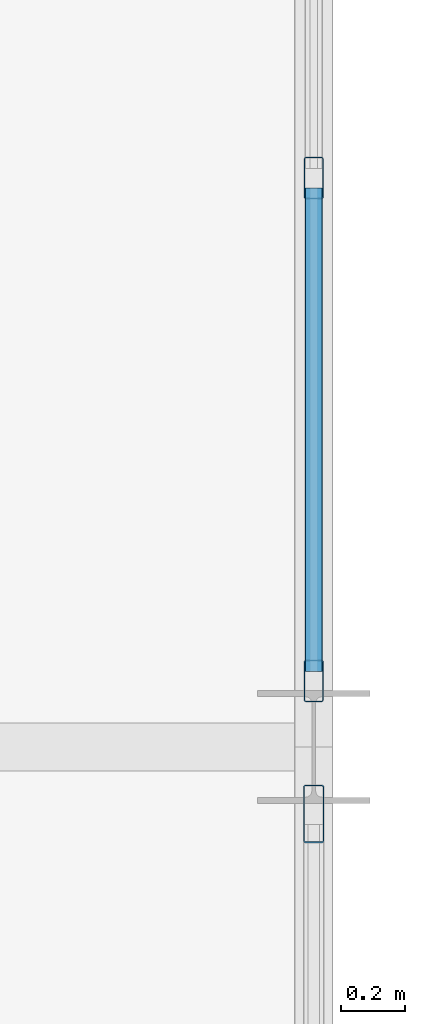
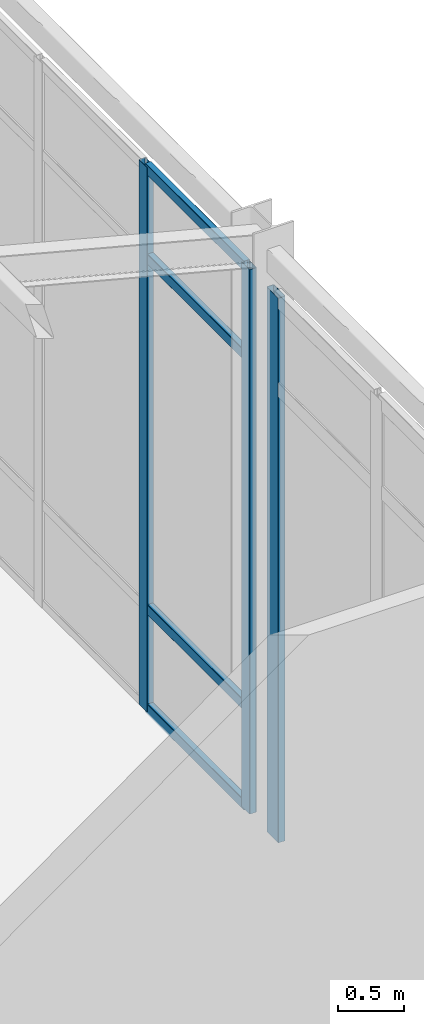
# One storey, part 22 of 121: 7 members, 2 elements without a shape of their own.
"""IFC4 building model written with IfcOpenShell, lengths in metres."""

from ifc_helpers import new_model, si_unit, direction, frame, origin, origin_2d, place, context, subcontext, project, spatial, hollow_rectangle, extrude, material, material_profile, profile_set, type_object, element, aggregate, save


model = new_model("IFC4")

# Units and contexts
model_context = context("Model", 3, precision=1e-05, world=origin(), true_north=direction((0.0, 1.0)))
body_context = subcontext(model_context, "Body", "Model", "MODEL_VIEW")
ifc_project = project(units=[si_unit("LENGTHUNIT", "METRE"), si_unit("AREAUNIT", "SQUARE_METRE"), si_unit("VOLUMEUNIT", "CUBIC_METRE"), si_unit("PLANEANGLEUNIT", "RADIAN"), si_unit("MASSUNIT", "GRAM", prefix="KILO")], contexts=[model_context])

# Site, building, storey
site_placement = place(None, origin())
site = spatial("IfcSite", under=ifc_project, at=site_placement, CompositionType="ELEMENT")
building_placement = place(site_placement, origin())
building = spatial("IfcBuilding", under=site, at=building_placement, Name="Canglan Escarpment Cableway Terminal", CompositionType="ELEMENT")
storey_placement = place(building_placement, frame((0.0, 0.0, 24.60009765625)))
storey = spatial("IfcBuildingStorey", under=building, at=storey_placement, Name="L05", CompositionType="ELEMENT", Elevation=24.60009765625)

# Curtain wall, members
ifc_material_1 = material(Name="Anodized bronze aluminium and Low-E double glazing", Category="aluminium")
curtain_wall_type_1 = type_object("IfcCurtainWallType", Name="CW-BAY-7950x5050", PredefinedType="NOTDEFINED", material=ifc_material_1)
curtain_wall_1_placement = place(storey_placement, origin())
curtain_wall_1 = element("IfcCurtainWall", 1, at=curtain_wall_1_placement, inside=storey, type_object=curtain_wall_type_1, Name="Classical bay-between-piers glazed curtain wall CW-39", PredefinedType="NOTDEFINED")
ifc_material_2 = material(Name="Thermally broken anodized aluminium 6063-T6", Category="aluminium")
ifc_material_profile_1 = material_profile(ifc_material_2, hollow_rectangle(XDim=0.06005859375, YDim=0.1298828125, WallThickness=0.0029296875, InnerFilletRadius=0.0029296875, OuterFilletRadius=0.006103515625, at=origin_2d()), Name="ALU-MULL 60x130x3")
ifc_profile_set_1 = profile_set([ifc_material_profile_1], Name="Thermally broken anodized aluminium 6063-T6")
member_type_1 = type_object("IfcMemberType", Name="CWM-01", PredefinedType="MULLION", material=ifc_profile_set_1)
member_1_placement = place(storey_placement, frame((166.39990234375, 25.0048828125, 0.0), z_axis=(0.0, 0.0, 1.0), x_axis=(-1.0, 0.0, 0.0)))
member_1 = element("IfcMember", 2, at=member_1_placement, type_object=member_type_1, Name="CW-39 mullion 1", PredefinedType="MULLION", context=body_context, shape_type="SweptSolid", body=[
    extrude(hollow_rectangle(XDim=0.06005859375, YDim=0.1298828125, WallThickness=0.0029296875, InnerFilletRadius=0.0029296875, OuterFilletRadius=0.006103515625, at=origin_2d()), origin(), (0.0, 0.0, 1.0), 5.0498046875),
])
member_2_placement = place(storey_placement, frame((166.39990234375, 26.56494140625, 0.0), z_axis=(0.0, 0.0, 1.0), x_axis=(-1.0, 0.0, 0.0)))
member_2 = element("IfcMember", 3, at=member_2_placement, type_object=member_type_1, Name="CW-39 mullion 2", PredefinedType="MULLION", context=body_context, shape_type="SweptSolid", body=[
    extrude(hollow_rectangle(XDim=0.06005859375, YDim=0.1298828125, WallThickness=0.0029296875, InnerFilletRadius=0.0029296875, OuterFilletRadius=0.006103515625, at=origin_2d()), origin(), (0.0, 0.0, 1.0), 5.0498046875),
])

# Curtain wall, member
curtain_wall_type_2 = type_object("IfcCurtainWallType", Name="CW-BAY-8050x5050", PredefinedType="NOTDEFINED", material=ifc_material_1)
curtain_wall_2_placement = place(storey_placement, origin())
curtain_wall_2 = element("IfcCurtainWall", 4, at=curtain_wall_2_placement, inside=storey, type_object=curtain_wall_type_2, Name="Classical bay-between-piers glazed curtain wall CW-38", PredefinedType="NOTDEFINED")
ifc_material_profile_2 = material_profile(ifc_material_2, hollow_rectangle(XDim=0.06494140625, YDim=0.179931640625, WallThickness=0.00390625, InnerFilletRadius=0.00390625, OuterFilletRadius=0.008056640625, at=origin_2d()), Name="ALU-MULL 65x180x4")
ifc_profile_set_2 = profile_set([ifc_material_profile_2], Name="Thermally broken anodized aluminium 6063-T6")
member_type_2 = type_object("IfcMemberType", Name="CWM-03", PredefinedType="MULLION", material=ifc_profile_set_2)
member_3_placement = place(storey_placement, frame((166.39990234375, 24.592529296875, 0.0), z_axis=(0.0, 0.0, 1.0), x_axis=(-1.0, 0.0, 0.0)))
member_3 = element("IfcMember", 5, at=member_3_placement, type_object=member_type_2, Name="CW-38 mullion 6", PredefinedType="MULLION", context=body_context, shape_type="SweptSolid", body=[
    extrude(hollow_rectangle(XDim=0.06494140625, YDim=0.179931640625, WallThickness=0.00390625, InnerFilletRadius=0.00390625, OuterFilletRadius=0.008056640625, at=origin_2d()), origin(), (0.0, 0.0, 1.0), 5.0498046875),
])
aggregate(curtain_wall_2, [member_3])

# Member
ifc_material_profile_3 = material_profile(ifc_material_2, hollow_rectangle(XDim=0.054931640625, YDim=0.094970703125, WallThickness=0.0029296875, InnerFilletRadius=0.0029296875, OuterFilletRadius=0.006103515625, at=origin_2d()), Name="ALU-TRAN 55x95x3")
ifc_profile_set_3 = profile_set([ifc_material_profile_3], Name="Thermally broken anodized aluminium 6063-T6")
member_type_3 = type_object("IfcMemberType", Name="CWT-01", PredefinedType="USERDEFINED", material=ifc_profile_set_3)
member_4_placement = place(storey_placement, frame((166.39990234375, 25.034912109375, 0.02734375), z_axis=(0.0, 1.0, 0.0), x_axis=(-1.0, 0.0, 0.0)))
member_4 = element("IfcMember", 6, at=member_4_placement, type_object=member_type_3, Name="CW-39 transom 1.1", ObjectType="TRANSOM", PredefinedType="USERDEFINED", context=body_context, shape_type="SweptSolid", body=[
    extrude(hollow_rectangle(XDim=0.054931640625, YDim=0.094970703125, WallThickness=0.0029296875, InnerFilletRadius=0.0029296875, OuterFilletRadius=0.006103515625, at=origin_2d()), origin(), (0.0, 0.0, 1.0), 1.5),
])

member_5_placement = place(storey_placement, frame((166.39990234375, 25.034912109375, 0.949951171875), z_axis=(0.0, 1.0, 0.0), x_axis=(-1.0, 0.0, 0.0)))
member_5 = element("IfcMember", 7, at=member_5_placement, type_object=member_type_3, Name="CW-39 transom 1.2", ObjectType="TRANSOM", PredefinedType="USERDEFINED", context=body_context, shape_type="SweptSolid", body=[
    extrude(hollow_rectangle(XDim=0.054931640625, YDim=0.094970703125, WallThickness=0.0029296875, InnerFilletRadius=0.0029296875, OuterFilletRadius=0.006103515625, at=origin_2d()), origin(), (0.0, 0.0, 1.0), 1.5),
])

member_6_placement = place(storey_placement, frame((166.39990234375, 25.034912109375, 4.199951171875), z_axis=(0.0, 1.0, 0.0), x_axis=(-1.0, 0.0, 0.0)))
member_6 = element("IfcMember", 8, at=member_6_placement, type_object=member_type_3, Name="CW-39 transom 1.3", ObjectType="TRANSOM", PredefinedType="USERDEFINED", context=body_context, shape_type="SweptSolid", body=[
    extrude(hollow_rectangle(XDim=0.054931640625, YDim=0.094970703125, WallThickness=0.0029296875, InnerFilletRadius=0.0029296875, OuterFilletRadius=0.006103515625, at=origin_2d()), origin(), (0.0, 0.0, 1.0), 1.5),
])

member_7_placement = place(storey_placement, frame((166.39990234375, 25.034912109375, 5.0224609375), z_axis=(0.0, 1.0, 0.0), x_axis=(-1.0, 0.0, 0.0)))
member_7 = element("IfcMember", 9, at=member_7_placement, type_object=member_type_3, Name="CW-39 transom 1.4", ObjectType="TRANSOM", PredefinedType="USERDEFINED", context=body_context, shape_type="SweptSolid", body=[
    extrude(hollow_rectangle(XDim=0.054931640625, YDim=0.094970703125, WallThickness=0.0029296875, InnerFilletRadius=0.0029296875, OuterFilletRadius=0.006103515625, at=origin_2d()), origin(), (0.0, 0.0, 1.0), 1.5),
])

aggregate(curtain_wall_1, [member_1, member_2, member_4, member_5, member_6, member_7])

save(model, "model.ifc")
